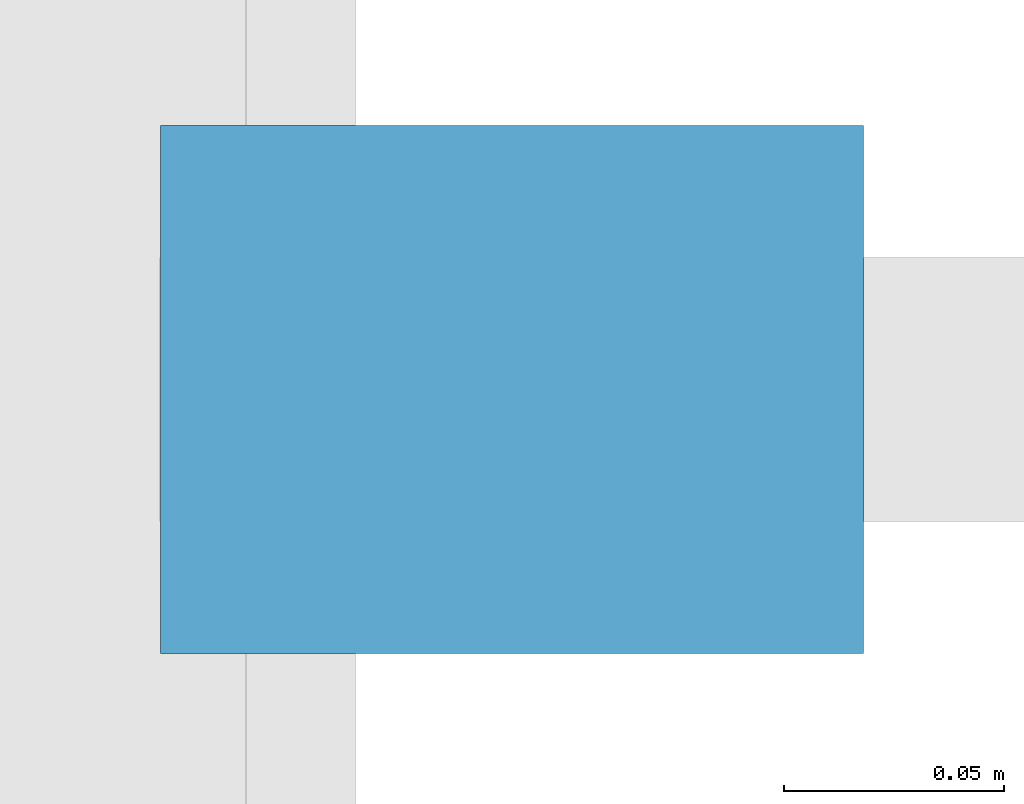
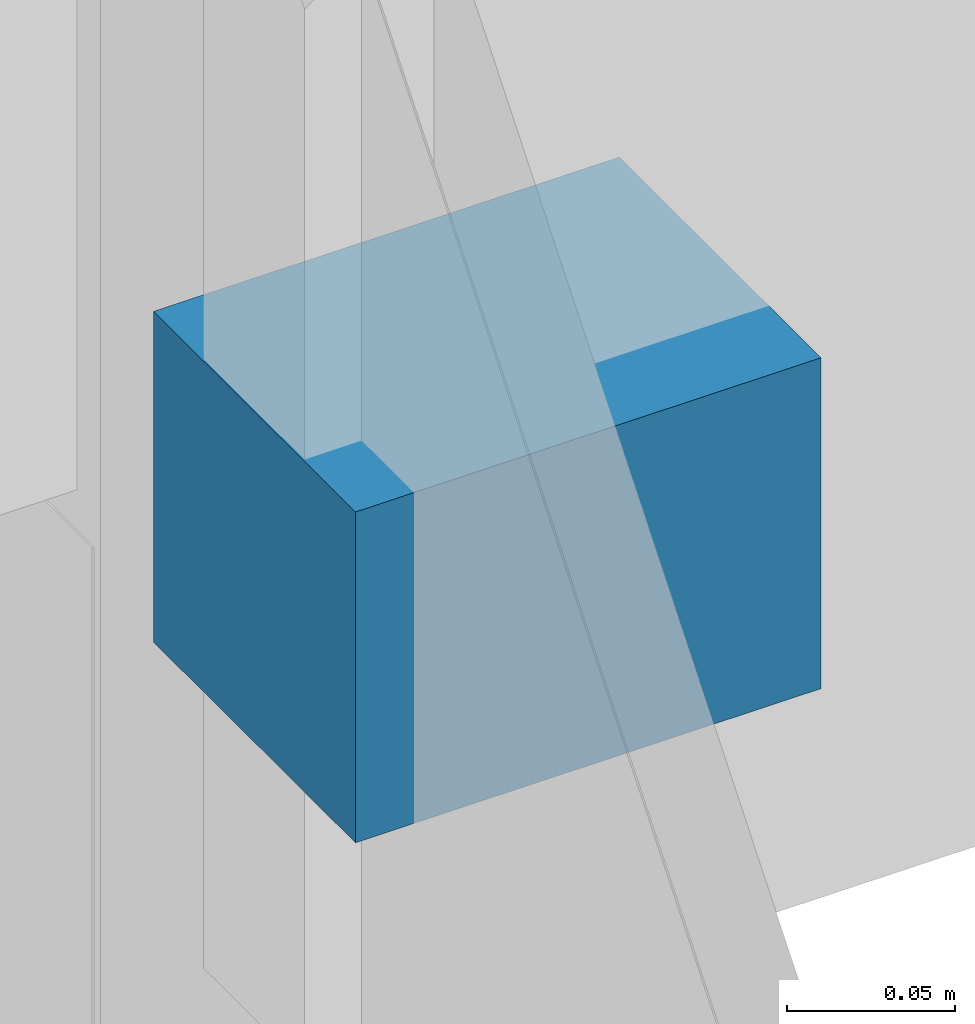
# One storey, part 26 of 41: 1 discrete accessory.
"""IFC4 building model written with IfcOpenShell, lengths in metres."""

from ifc_helpers import new_model, si_unit, direction, frame, origin, origin_2d, place, context, subcontext, project, spatial, rectangle, extrude, material, type_object, element, save


model = new_model("IFC4")

# Units and contexts
model_context = context("Model", 3, precision=1e-05, world=origin(), true_north=direction((0.0, 1.0)))
body_context = subcontext(model_context, "Body", "Model", "MODEL_VIEW")
ifc_project = project(units=[si_unit("LENGTHUNIT", "METRE"), si_unit("AREAUNIT", "SQUARE_METRE"), si_unit("VOLUMEUNIT", "CUBIC_METRE"), si_unit("PLANEANGLEUNIT", "RADIAN"), si_unit("MASSUNIT", "GRAM", prefix="KILO")], contexts=[model_context])

# Site, building, storey
site_placement = place(None, origin())
site = spatial("IfcSite", under=ifc_project, at=site_placement, CompositionType="ELEMENT")
building_placement = place(site_placement, origin())
building = spatial("IfcBuilding", under=site, at=building_placement, Name="Namkhue Oval Health Centre", CompositionType="ELEMENT")
storey_placement = place(building_placement, frame((0.0, 0.0, 13.800048828125)))
storey = spatial("IfcBuildingStorey", under=building, at=storey_placement, Name="L03", CompositionType="ELEMENT", Elevation=13.800048828125)

# Discrete accessory
ifc_material = material(Name="Structural steel S355JR (TCVN CCT38)", Category="steel")
discrete_accessory_type = type_object("IfcDiscreteAccessoryType", Name="FACADE SHADING BRACKET", PredefinedType="BRACKET", material=ifc_material)
discrete_accessory_placement = place(storey_placement, frame((122.6201171875, 17.159912109375, 0.89990234375), z_axis=(0.0, 0.0, 1.0), x_axis=(1.0, 0.0, 0.0)))
element("IfcDiscreteAccessory", 1, at=discrete_accessory_placement, inside=storey, type_object=discrete_accessory_type, Name="Window Fin Bracket 281", PredefinedType="BRACKET", context=body_context, shape_type="SweptSolid", body=[
    extrude(rectangle(XDim=0.159912109375, YDim=0.1201171875, at=origin_2d()), origin(), (0.0, 0.0, 1.0), 0.1201171875),
])

save(model, "model.ifc")
